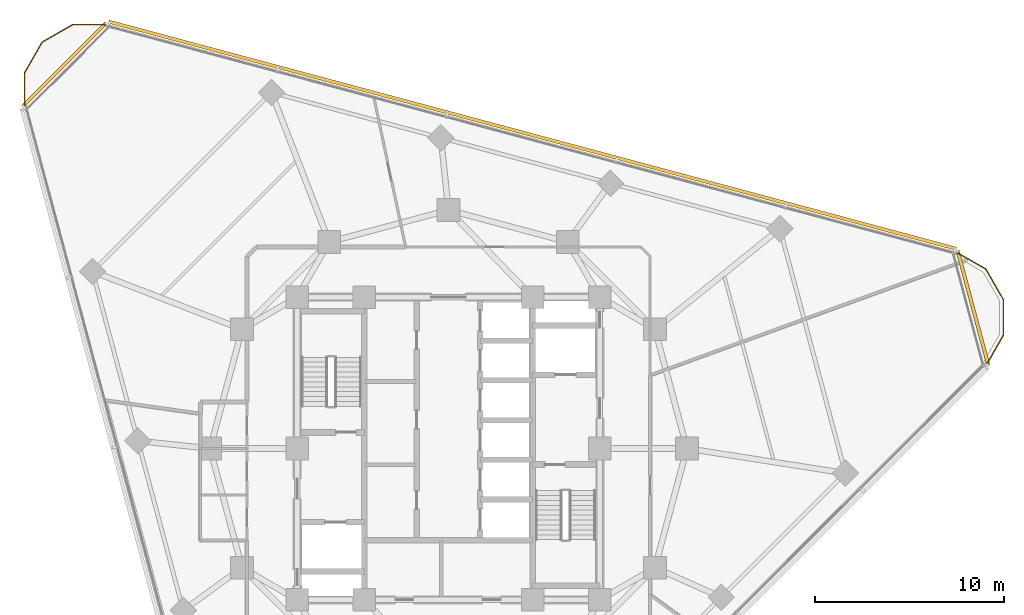
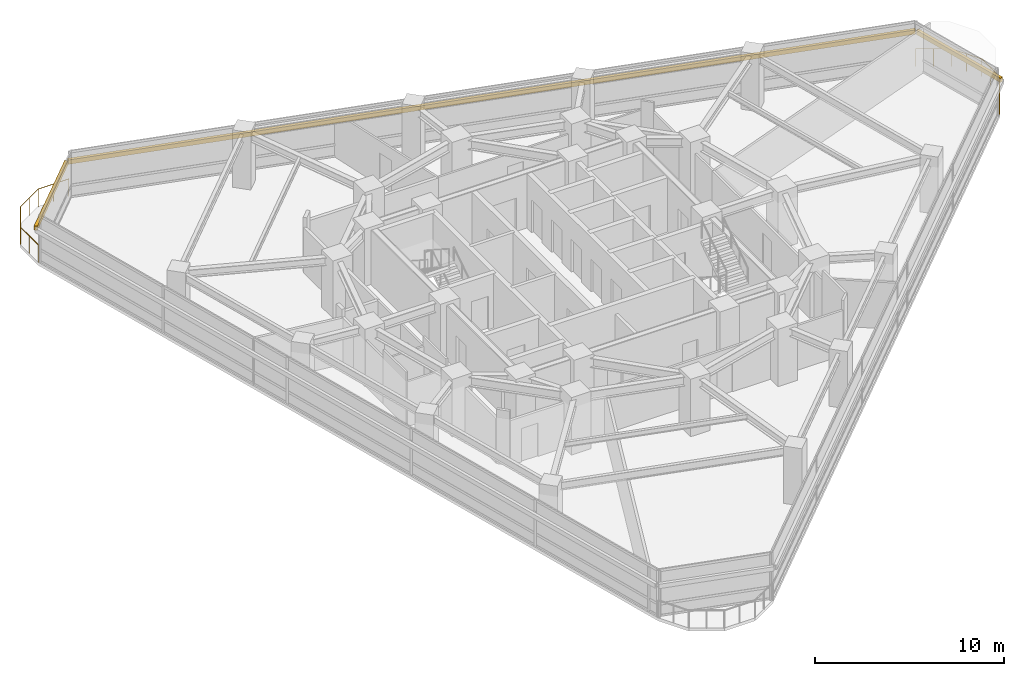
# One storey, part 13 of 13: 3 shading devices, 2 railings.
"""IFC4 building model written with IfcOpenShell, lengths in metres."""

from ifc_helpers import new_model, si_unit, direction, frame, origin, origin_2d, place, context, subcontext, project, spatial, rectangle, circle, extrude, material, layer, layer_set, type_object, element, save


model = new_model("IFC4")

# Units and contexts
model_context = context("Model", 3, precision=1e-05, world=origin(), true_north=direction((0.0, 1.0)))
body_context = subcontext(model_context, "Body", "Model", "MODEL_VIEW")
ifc_project = project(units=[si_unit("LENGTHUNIT", "METRE"), si_unit("AREAUNIT", "SQUARE_METRE"), si_unit("VOLUMEUNIT", "CUBIC_METRE"), si_unit("PLANEANGLEUNIT", "RADIAN"), si_unit("MASSUNIT", "GRAM", prefix="KILO")], contexts=[model_context])

# Site, building, storey
site_placement = place(None, origin())
site = spatial("IfcSite", under=ifc_project, at=site_placement, CompositionType="ELEMENT")
building_placement = place(site_placement, origin())
building = spatial("IfcBuilding", under=site, at=building_placement, Name="Terralouvre Media Tower", CompositionType="ELEMENT")
storey_placement = place(building_placement, frame((0.0, 0.0, 195.300048828125)))
storey = spatial("IfcBuildingStorey", under=building, at=storey_placement, Name="L50", CompositionType="ELEMENT", Elevation=195.300048828125)

# Railings
ifc_material_1 = material(Name="Stainless steel 316 handrail and balustrade", Category="steel")
ifc_layer = layer(ifc_material_1, 0.06005859375, Name="Roof Edge Safety Guardrail GR-ROOF1")
ifc_layer_set = layer_set([ifc_layer], Name="Stainless steel 316 handrail and balustrade")
railing_type = type_object("IfcRailingType", Name="Roof Edge Safety Guardrail GR-ROOF1", PredefinedType="GUARDRAIL", material=ifc_layer_set)
railing_1_placement = place(storey_placement, frame((28.39892578125, 4.365478515625, 0.0)))
element("IfcRailing", 1, at=railing_1_placement, inside=storey, type_object=railing_type, Name="L50 Wind-Corner Perimeter Safety Guardrail C1", PredefinedType="GUARDRAIL", context=body_context, shape_type="SweptSolid", body=[
    extrude(circle(Radius=0.02099609375, at=origin_2d()), frame((0.0, 0.0, 1.12890625), z_axis=(0.500203770141, 0.86590772507, 0.0), x_axis=(-0.86590772507, 0.500203770141, 0.0)), (0.0, 0.0, 1.0), 1.873291015625),
    extrude(circle(Radius=0.02099609375, at=origin_2d()), frame((0.93701171875, 1.6220703125, 1.12890625), z_axis=(0.000130344107, 0.999999991505, 0.0), x_axis=(-0.999999991505, 0.000130344107, 0.0)), (0.0, 0.0, 1.0), 1.873046875),
    extrude(circle(Radius=0.02099609375, at=origin_2d()), frame((0.937255859375, 3.4951171875, 1.12890625), z_axis=(-0.500162491388, 0.86593156901, 0.0), x_axis=(-0.86593156901, -0.500162491388, 0.0)), (0.0, 0.0, 1.0), 1.873046875),
    extrude(circle(Radius=0.02099609375, at=origin_2d()), frame((0.00048828125, 5.116943359375, 1.12890625), z_axis=(-0.866142189219, 0.499797667116, 0.0), x_axis=(-0.499797667116, -0.866142189219, 0.0)), (0.0, 0.0, 1.0), 1.873291015625),
    extrude(circle(Radius=0.01904296875, at=origin_2d()), origin(), (0.0, 0.0, 1.0), 1.10791015625),
    extrude(circle(Radius=0.01904296875, at=origin_2d()), frame((0.468505859375, 0.81103515625, 0.0)), (0.0, 0.0, 1.0), 1.10791015625),
    extrude(circle(Radius=0.01904296875, at=origin_2d()), frame((0.93701171875, 1.6220703125, 0.0)), (0.0, 0.0, 1.0), 1.10791015625),
    extrude(circle(Radius=0.01904296875, at=origin_2d()), frame((0.93701171875, 2.55859375, 0.0)), (0.0, 0.0, 1.0), 1.10791015625),
    extrude(circle(Radius=0.01904296875, at=origin_2d()), frame((0.937255859375, 3.4951171875, 0.0)), (0.0, 0.0, 1.0), 1.10791015625),
    extrude(circle(Radius=0.01904296875, at=origin_2d()), frame((0.46875, 4.30615234375, 0.0)), (0.0, 0.0, 1.0), 1.10791015625),
    extrude(circle(Radius=0.01904296875, at=origin_2d()), frame((0.00048828125, 5.116943359375, 0.0)), (0.0, 0.0, 1.0), 1.10791015625),
    extrude(circle(Radius=0.01904296875, at=origin_2d()), frame((-0.810791015625, 5.5849609375, 0.0)), (0.0, 0.0, 1.0), 1.10791015625),
    extrude(circle(Radius=0.01904296875, at=origin_2d()), frame((-1.6220703125, 6.05322265625, 0.0)), (0.0, 0.0, 1.0), 1.10791015625),
])
railing_2_placement = place(storey_placement, frame((-17.97998046875, 22.411376953125, 0.0)))
element("IfcRailing", 2, at=railing_2_placement, inside=storey, type_object=railing_type, Name="L50 Wind-Corner Perimeter Safety Guardrail C2", PredefinedType="GUARDRAIL", context=body_context, shape_type="SweptSolid", body=[
    extrude(circle(Radius=0.02099609375, at=origin_2d()), frame((0.0, 0.0, 1.12890625), z_axis=(-0.99999996603, 0.000260654233, 0.0), x_axis=(-0.000260654233, -0.99999996603, 0.0)), (0.0, 0.0, 1.0), 1.873291015625),
    extrude(circle(Radius=0.02099609375, at=origin_2d()), frame((-1.873291015625, 0.00048828125, 1.12890625), z_axis=(-0.866109628736, -0.499854089722, 0.0), x_axis=(0.499854089722, -0.866109628736, 0.0)), (0.0, 0.0, 1.0), 1.873046875),
    extrude(circle(Radius=0.02099609375, at=origin_2d()), frame((-3.49560546875, -0.935791015625, 1.12890625), z_axis=(-0.499854089722, -0.866109628736, 0.0), x_axis=(0.866109628736, -0.499854089722, 0.0)), (0.0, 0.0, 1.0), 1.873046875),
    extrude(circle(Radius=0.02099609375, at=origin_2d()), frame((-4.431884765625, -2.55810546875, 1.12890625), z_axis=(0.000260654233, -0.99999996603, 0.0), x_axis=(0.99999996603, 0.000260654233, 0.0)), (0.0, 0.0, 1.0), 1.873291015625),
    extrude(circle(Radius=0.01904296875, at=origin_2d()), origin(), (0.0, 0.0, 1.0), 1.10791015625),
    extrude(circle(Radius=0.01904296875, at=origin_2d()), frame((-0.9365234375, 0.000244140625, 0.0)), (0.0, 0.0, 1.0), 1.10791015625),
    extrude(circle(Radius=0.01904296875, at=origin_2d()), frame((-1.873291015625, 0.00048828125, 0.0)), (0.0, 0.0, 1.0), 1.10791015625),
    extrude(circle(Radius=0.01904296875, at=origin_2d()), frame((-2.6845703125, -0.4677734375, 0.0)), (0.0, 0.0, 1.0), 1.10791015625),
    extrude(circle(Radius=0.01904296875, at=origin_2d()), frame((-3.49560546875, -0.935791015625, 0.0)), (0.0, 0.0, 1.0), 1.10791015625),
    extrude(circle(Radius=0.01904296875, at=origin_2d()), frame((-3.9638671875, -1.7470703125, 0.0)), (0.0, 0.0, 1.0), 1.10791015625),
    extrude(circle(Radius=0.01904296875, at=origin_2d()), frame((-4.431884765625, -2.55810546875, 0.0)), (0.0, 0.0, 1.0), 1.10791015625),
    extrude(circle(Radius=0.01904296875, at=origin_2d()), frame((-4.431640625, -3.49462890625, 0.0)), (0.0, 0.0, 1.0), 1.10791015625),
    extrude(circle(Radius=0.01904296875, at=origin_2d()), frame((-4.431396484375, -4.431396484375, 0.0)), (0.0, 0.0, 1.0), 1.10791015625),
])

# Shading devices
ifc_material_2 = material(Name="Extruded terracotta baguette sunshade louvres", Category="masonry")
shading_device_type = type_object("IfcShadingDeviceType", Name="Terracotta Baguette Sunshade Louvre Screen TB-LV1", PredefinedType="USERDEFINED", material=ifc_material_2)
shading_device_placement = place(storey_placement, frame((4.43701171875, 16.558837890625, 2.02392578125), z_axis=(0.0, 0.0, 1.0), x_axis=(-0.96592582942, 0.25881903342, 0.0)))
element("IfcShadingDevice", 3, at=shading_device_placement, inside=storey, type_object=shading_device_type, Name="CW-L50-F1 Terracotta Baguette Sunshade Louvre", ObjectType="BAGUETTE", PredefinedType="USERDEFINED", context=body_context, shape_type="SweptSolid", body=[
    extrude(rectangle(XDim=46.360107421875, YDim=0.179931640625, at=origin_2d()), origin(), (0.0, 0.0, 1.0), 0.280029296875),
])
for number, where, z_axis, x_axis, name in (
    (4, (27.71826171875, 7.427001953125, 2.02392578125), (0.0, 0.0, 1.0), (-0.258818728144, 0.965925911218, 0.0), "CW-L50-C1 Terracotta Baguette Sunshade Louvre"),
    (5, (-20.291015625, 20.291015625, 2.02392578125), (0.0, 0.0, 1.0), (-0.707106781187, -0.707106781187, 0.0), "CW-L50-C2 Terracotta Baguette Sunshade Louvre"),
):
    element("IfcShadingDevice", number, at=place(storey_placement, frame(where, z_axis=z_axis, x_axis=x_axis)), inside=storey, type_object=shading_device_type, Name=name, ObjectType="BAGUETTE", PredefinedType="USERDEFINED", context=body_context, shape_type="SweptSolid", body=[
        extrude(rectangle(XDim=6.27001953125, YDim=0.179931640625, at=origin_2d()), origin(), (0.0, 0.0, 1.0), 0.280029296875),
    ])

save(model, "model.ifc")
